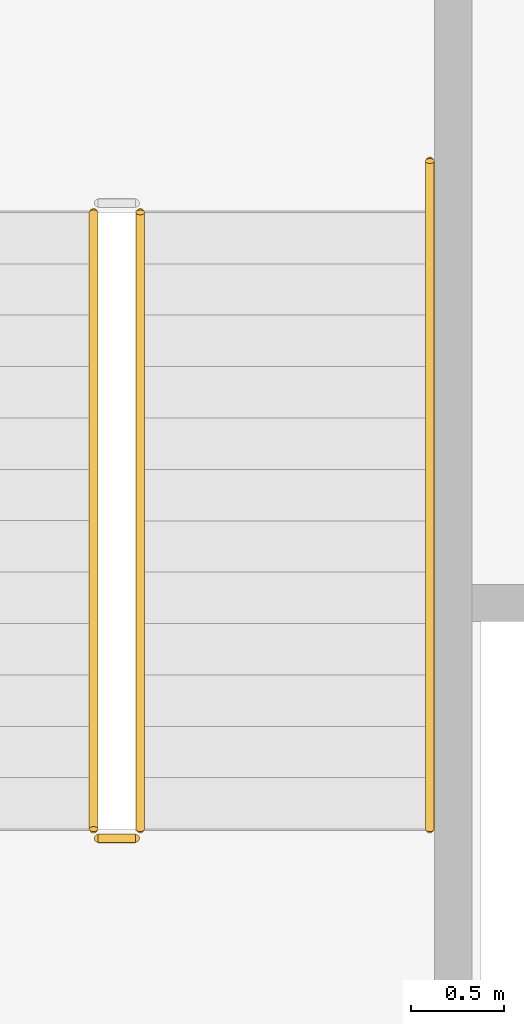
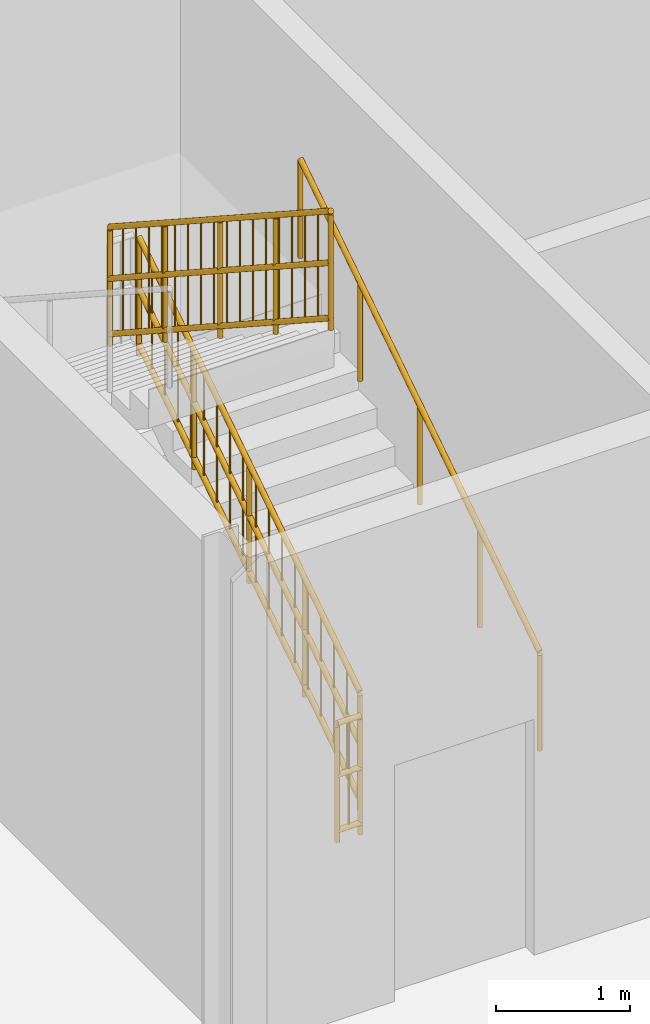
# One storey, part 86 of 98: 4 railings.
"""IFC4 building model written with IfcOpenShell, lengths in metres."""

from ifc_helpers import new_model, si_unit, direction, frame, origin, origin_2d, place, context, subcontext, project, spatial, circle, extrude, material, layer, layer_set, type_object, element, save


model = new_model("IFC4")

# Units and contexts
model_context = context("Model", 3, precision=1e-05, world=origin(), true_north=direction((0.0, 1.0)))
body_context = subcontext(model_context, "Body", "Model", "MODEL_VIEW")
ifc_project = project(units=[si_unit("LENGTHUNIT", "METRE"), si_unit("AREAUNIT", "SQUARE_METRE"), si_unit("VOLUMEUNIT", "CUBIC_METRE"), si_unit("PLANEANGLEUNIT", "RADIAN"), si_unit("MASSUNIT", "GRAM", prefix="KILO")], contexts=[model_context])

# Site, building, storey
site_placement = place(None, origin())
site = spatial("IfcSite", under=ifc_project, at=site_placement, CompositionType="ELEMENT")
building_placement = place(site_placement, origin())
building = spatial("IfcBuilding", under=site, at=building_placement, Name="Nabrawat Pavilion Hospital", CompositionType="ELEMENT")
storey_placement = place(building_placement, frame((0.0, 0.0, 10.199951171875)))
storey = spatial("IfcBuildingStorey", under=building, at=storey_placement, Name="L02", CompositionType="ELEMENT", Elevation=10.199951171875)

# Railings
ifc_material = material(Name="Stainless Steel 316", Category="steel")
ifc_layer_1 = layer(ifc_material, 0.050048828125, Name="Stainless Steel 316")
ifc_layer_set_1 = layer_set([ifc_layer_1], Name="Stainless Steel 316")
railing_type_1 = type_object("IfcRailingType", Name="Stair Open-Well Safety Guardrail 1100", PredefinedType="GUARDRAIL", material=ifc_layer_set_1)
railing_1_placement = place(storey_placement, frame((35.875, 56.669921875, 0.178955078125)))
element("IfcRailing", 1, at=railing_1_placement, inside=storey, type_object=railing_type_1, Name="L02 ST-02 stair guard 1", PredefinedType="GUARDRAIL", context=body_context, shape_type="SweptSolid", body=[
    extrude(circle(Radius=0.02392578125, at=origin_2d()), frame((0.0, 0.0, 1.076171875), z_axis=(0.0, 0.838331656441, 0.545160557825), x_axis=(-1.0, 0.0, 0.0)), (0.0, 0.0, 1.0), 3.9365234375),
    extrude(circle(Radius=0.02392578125, at=origin_2d()), frame((0.0, 0.0, 0.10009765625), z_axis=(0.0, 0.838331656441, 0.545160557825), x_axis=(-1.0, 0.0, 0.0)), (0.0, 0.0, 1.0), 3.9365234375),
    extrude(circle(Radius=0.02392578125, at=origin_2d()), frame((0.0, 0.0, 0.60498046875), z_axis=(0.0, 0.838331656441, 0.545160557825), x_axis=(-1.0, 0.0, 0.0)), (0.0, 0.0, 1.0), 3.9365234375),
    extrude(circle(Radius=0.008056640625, at=origin_2d()), frame((0.0, 0.194091796875, 0.226318359375)), (0.0, 0.0, 1.0), 0.951904296875),
    extrude(circle(Radius=0.008056640625, at=origin_2d()), frame((0.0, 0.38818359375, 0.3525390625)), (0.0, 0.0, 1.0), 0.951904296875),
    extrude(circle(Radius=0.008056640625, at=origin_2d()), frame((0.0, 0.582275390625, 0.478759765625)), (0.0, 0.0, 1.0), 0.951904296875),
    extrude(circle(Radius=0.008056640625, at=origin_2d()), frame((0.0, 0.7763671875, 0.60498046875)), (0.0, 0.0, 1.0), 0.951904296875),
    extrude(circle(Radius=0.008056640625, at=origin_2d()), frame((0.0, 0.970703125, 0.731201171875)), (0.0, 0.0, 1.0), 0.951904296875),
    extrude(circle(Radius=0.008056640625, at=origin_2d()), frame((0.0, 1.164794921875, 0.857421875)), (0.0, 0.0, 1.0), 0.951904296875),
    extrude(circle(Radius=0.008056640625, at=origin_2d()), frame((0.0, 1.35888671875, 0.983642578125)), (0.0, 0.0, 1.0), 0.951904296875),
    extrude(circle(Radius=0.008056640625, at=origin_2d()), frame((0.0, 1.552978515625, 1.10986328125)), (0.0, 0.0, 1.0), 0.951904296875),
    extrude(circle(Radius=0.008056640625, at=origin_2d()), frame((0.0, 1.7470703125, 1.236083984375)), (0.0, 0.0, 1.0), 0.951904296875),
    extrude(circle(Radius=0.008056640625, at=origin_2d()), frame((0.0, 1.941162109375, 1.3623046875)), (0.0, 0.0, 1.0), 0.951904296875),
    extrude(circle(Radius=0.008056640625, at=origin_2d()), frame((0.0, 2.13525390625, 1.488525390625)), (0.0, 0.0, 1.0), 0.951904296875),
    extrude(circle(Radius=0.008056640625, at=origin_2d()), frame((0.0, 2.329345703125, 1.61474609375)), (0.0, 0.0, 1.0), 0.951904296875),
    extrude(circle(Radius=0.008056640625, at=origin_2d()), frame((0.0, 2.523681640625, 1.740966796875)), (0.0, 0.0, 1.0), 0.951904296875),
    extrude(circle(Radius=0.008056640625, at=origin_2d()), frame((0.0, 2.7177734375, 1.8671875)), (0.0, 0.0, 1.0), 0.951904296875),
    extrude(circle(Radius=0.008056640625, at=origin_2d()), frame((0.0, 2.911865234375, 1.993408203125)), (0.0, 0.0, 1.0), 0.951904296875),
    extrude(circle(Radius=0.008056640625, at=origin_2d()), frame((0.0, 3.10595703125, 2.119873046875)), (0.0, 0.0, 1.0), 0.951904296875),
    extrude(circle(Radius=0.02099609375, at=origin_2d()), origin(), (0.0, 0.0, 1.0), 1.052001953125),
    extrude(circle(Radius=0.02099609375, at=origin_2d()), frame((0.0, 0.824951171875, 0.53662109375)), (0.0, 0.0, 1.0), 1.052001953125),
    extrude(circle(Radius=0.02099609375, at=origin_2d()), frame((0.0, 1.64990234375, 1.072998046875)), (0.0, 0.0, 1.0), 1.052001953125),
    extrude(circle(Radius=0.02099609375, at=origin_2d()), frame((0.0, 2.47509765625, 1.609375)), (0.0, 0.0, 1.0), 1.052001953125),
    extrude(circle(Radius=0.02099609375, at=origin_2d()), frame((0.0, 3.300048828125, 2.14599609375)), (0.0, 0.0, 1.0), 1.052001953125),
])
railing_2_placement = place(storey_placement, frame((35.625, 59.969970703125, 2.50390625)))
element("IfcRailing", 2, at=railing_2_placement, inside=storey, type_object=railing_type_1, Name="L02 ST-02 stair guard 3", PredefinedType="GUARDRAIL", context=body_context, shape_type="SweptSolid", body=[
    extrude(circle(Radius=0.02392578125, at=origin_2d()), frame((0.0, 0.0, 1.076171875), z_axis=(0.0, -0.838303311307, 0.545204143649), x_axis=(1.0, 0.0, 0.0)), (0.0, 0.0, 1.0), 3.9365234375),
    extrude(circle(Radius=0.02392578125, at=origin_2d()), frame((0.0, 0.0, 0.10009765625), z_axis=(0.0, -0.838303311307, 0.545204143649), x_axis=(1.0, 0.0, 0.0)), (0.0, 0.0, 1.0), 3.9365234375),
    extrude(circle(Radius=0.02392578125, at=origin_2d()), frame((0.0, 0.0, 0.60498046875), z_axis=(0.0, -0.838303311307, 0.545204143649), x_axis=(1.0, 0.0, 0.0)), (0.0, 0.0, 1.0), 3.9365234375),
    extrude(circle(Radius=0.008056640625, at=origin_2d()), frame((0.0, -0.194091796875, 0.226318359375)), (0.0, 0.0, 1.0), 0.951904296875),
    extrude(circle(Radius=0.008056640625, at=origin_2d()), frame((0.0, -0.38818359375, 0.3525390625)), (0.0, 0.0, 1.0), 0.951904296875),
    extrude(circle(Radius=0.008056640625, at=origin_2d()), frame((0.0, -0.582275390625, 0.478759765625)), (0.0, 0.0, 1.0), 0.951904296875),
    extrude(circle(Radius=0.008056640625, at=origin_2d()), frame((0.0, -0.7763671875, 0.60498046875)), (0.0, 0.0, 1.0), 0.951904296875),
    extrude(circle(Radius=0.008056640625, at=origin_2d()), frame((0.0, -0.970703125, 0.731201171875)), (0.0, 0.0, 1.0), 0.951904296875),
    extrude(circle(Radius=0.008056640625, at=origin_2d()), frame((0.0, -1.164794921875, 0.857421875)), (0.0, 0.0, 1.0), 0.951904296875),
    extrude(circle(Radius=0.008056640625, at=origin_2d()), frame((0.0, -1.35888671875, 0.983642578125)), (0.0, 0.0, 1.0), 0.951904296875),
    extrude(circle(Radius=0.008056640625, at=origin_2d()), frame((0.0, -1.552978515625, 1.110107421875)), (0.0, 0.0, 1.0), 0.951904296875),
    extrude(circle(Radius=0.008056640625, at=origin_2d()), frame((0.0, -1.7470703125, 1.236328125)), (0.0, 0.0, 1.0), 0.951904296875),
    extrude(circle(Radius=0.008056640625, at=origin_2d()), frame((0.0, -1.941162109375, 1.362548828125)), (0.0, 0.0, 1.0), 0.951904296875),
    extrude(circle(Radius=0.008056640625, at=origin_2d()), frame((0.0, -2.13525390625, 1.48876953125)), (0.0, 0.0, 1.0), 0.951904296875),
    extrude(circle(Radius=0.008056640625, at=origin_2d()), frame((0.0, -2.329345703125, 1.614990234375)), (0.0, 0.0, 1.0), 0.951904296875),
    extrude(circle(Radius=0.008056640625, at=origin_2d()), frame((0.0, -2.523681640625, 1.7412109375)), (0.0, 0.0, 1.0), 0.951904296875),
    extrude(circle(Radius=0.008056640625, at=origin_2d()), frame((0.0, -2.7177734375, 1.867431640625)), (0.0, 0.0, 1.0), 0.951904296875),
    extrude(circle(Radius=0.008056640625, at=origin_2d()), frame((0.0, -2.911865234375, 1.99365234375)), (0.0, 0.0, 1.0), 0.951904296875),
    extrude(circle(Radius=0.008056640625, at=origin_2d()), frame((0.0, -3.10595703125, 2.119873046875)), (0.0, 0.0, 1.0), 0.951904296875),
    extrude(circle(Radius=0.02099609375, at=origin_2d()), origin(), (0.0, 0.0, 1.0), 1.052001953125),
    extrude(circle(Radius=0.02099609375, at=origin_2d()), frame((0.0, -0.824951171875, 0.53662109375)), (0.0, 0.0, 1.0), 1.052001953125),
    extrude(circle(Radius=0.02099609375, at=origin_2d()), frame((0.0, -1.64990234375, 1.0732421875)), (0.0, 0.0, 1.0), 1.052001953125),
    extrude(circle(Radius=0.02099609375, at=origin_2d()), frame((0.0, -2.47509765625, 1.609619140625)), (0.0, 0.0, 1.0), 1.052001953125),
    extrude(circle(Radius=0.02099609375, at=origin_2d()), frame((0.0, -3.300048828125, 2.146240234375)), (0.0, 0.0, 1.0), 1.052001953125),
])
railing_3_placement = place(storey_placement, frame((35.85009765625, 56.6201171875, 0.0)))
element("IfcRailing", 3, at=railing_3_placement, inside=storey, type_object=railing_type_1, Name="L02 ST-02 stair guard 4", PredefinedType="GUARDRAIL", context=body_context, shape_type="SweptSolid", body=[
    extrude(circle(Radius=0.02392578125, at=origin_2d()), frame((0.0, 0.0, 1.076171875), z_axis=(-1.0, 0.0, 0.0), x_axis=(0.0, -1.0, 0.0)), (0.0, 0.0, 1.0), 0.2001953125),
    extrude(circle(Radius=0.02392578125, at=origin_2d()), frame((0.0, 0.0, 0.10009765625), z_axis=(-1.0, 0.0, 0.0), x_axis=(0.0, -1.0, 0.0)), (0.0, 0.0, 1.0), 0.2001953125),
    extrude(circle(Radius=0.02392578125, at=origin_2d()), frame((0.0, 0.0, 0.60498046875), z_axis=(-1.0, 0.0, 0.0), x_axis=(0.0, -1.0, 0.0)), (0.0, 0.0, 1.0), 0.2001953125),
    extrude(circle(Radius=0.008056640625, at=origin_2d()), frame((-0.10009765625, 0.0, 0.10009765625)), (0.0, 0.0, 1.0), 0.951904296875),
    extrude(circle(Radius=0.02099609375, at=origin_2d()), origin(), (0.0, 0.0, 1.0), 1.052001953125),
    extrude(circle(Radius=0.02099609375, at=origin_2d()), frame((-0.2001953125, 0.0, 0.0)), (0.0, 0.0, 1.0), 1.052001953125),
])
ifc_layer_2 = layer(ifc_material, 0.044921875, Name="Stainless Steel 316")
ifc_layer_set_2 = layer_set([ifc_layer_2], Name="Stainless Steel 316")
railing_type_2 = type_object("IfcRailingType", Name="Stair Pitch Continuous Handrail 920", PredefinedType="HANDRAIL", material=ifc_layer_set_2)
railing_4_placement = place(storey_placement, frame((37.425048828125, 56.669921875, 0.182861328125)))
element("IfcRailing", 4, at=railing_4_placement, inside=storey, type_object=railing_type_2, Name="L02 ST-02 stair handrail 1", PredefinedType="HANDRAIL", context=body_context, shape_type="SweptSolid", body=[
    extrude(circle(Radius=0.02392578125, at=origin_2d()), frame((0.0, 0.0, 0.89599609375), z_axis=(0.0, 0.838328499472, 0.545165412488), x_axis=(-1.0, 0.0, 0.0)), (0.0, 0.0, 1.0), 4.2646484375),
    extrude(circle(Radius=0.02099609375, at=origin_2d()), origin(), (0.0, 0.0, 1.0), 0.871826171875),
    extrude(circle(Radius=0.02099609375, at=origin_2d()), frame((0.0, 0.893798828125, 0.581298828125)), (0.0, 0.0, 1.0), 0.871826171875),
    extrude(circle(Radius=0.02099609375, at=origin_2d()), frame((0.0, 1.78759765625, 1.16259765625)), (0.0, 0.0, 1.0), 0.871826171875),
    extrude(circle(Radius=0.02099609375, at=origin_2d()), frame((0.0, 2.681396484375, 1.74365234375)), (0.0, 0.0, 1.0), 0.871826171875),
    extrude(circle(Radius=0.02099609375, at=origin_2d()), frame((0.0, 3.5751953125, 2.324951171875)), (0.0, 0.0, 1.0), 0.871826171875),
])

save(model, "model.ifc")
